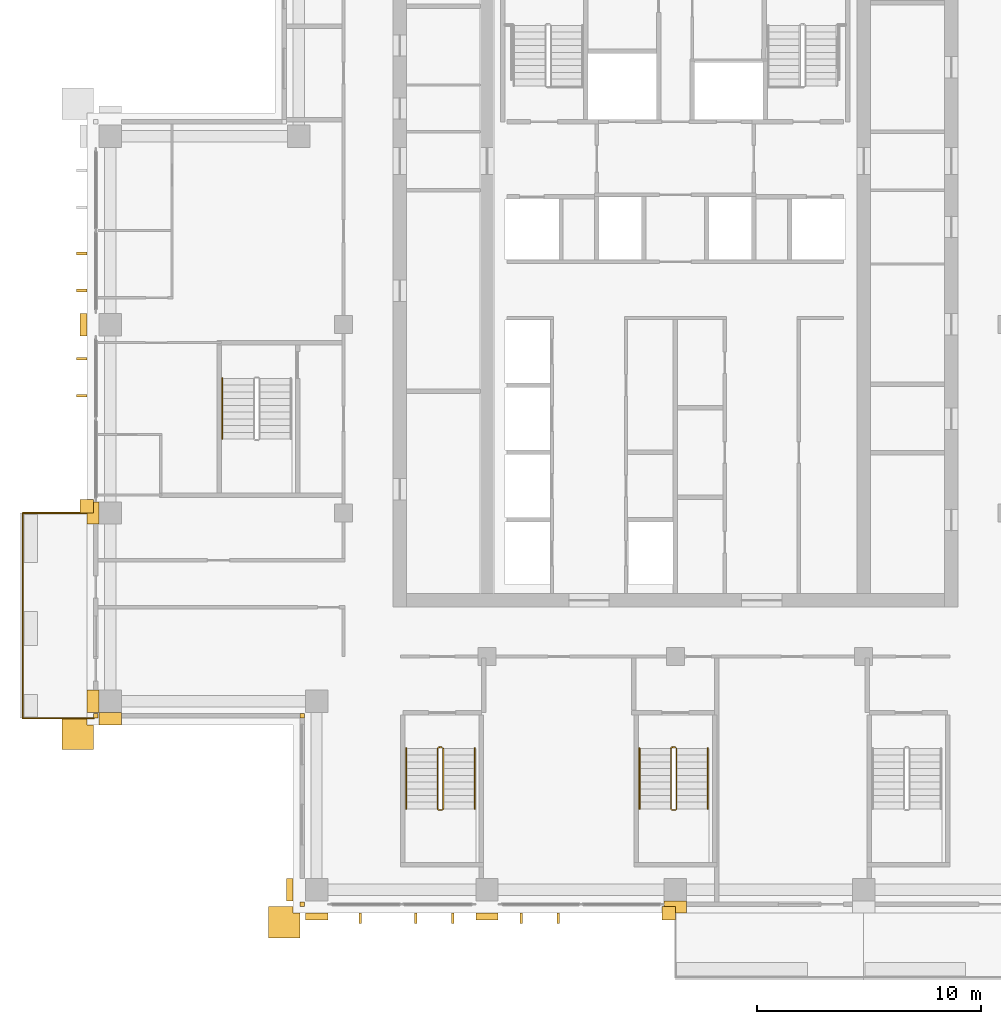
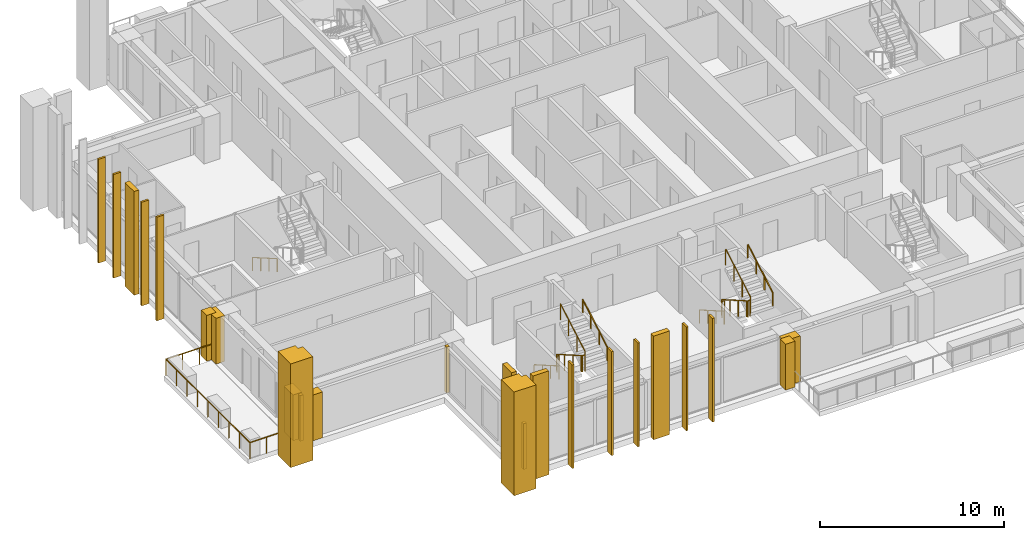
# One storey, part 15 of 18: 24 coverings, 8 railings.
"""IFC4 building model written with IfcOpenShell, lengths in metres."""

import ifcopenshell
import ifcopenshell.guid

model = None  # the IFC model being written
_history = None  # IfcOwnerHistory: only IFC2X3 demands one
_inside = {}  # id of a spatial element -> (the spatial element, [elements in it])
_under = {}  # id of a project, library or spatial element -> (it, [spatial elements below it])
_declared = {}  # id of a project -> (the project, [libraries it declares])
_typed = {}  # id of a type object -> (the type object, [elements of that type])
_made_of = {}  # id of a material, layer set ... -> (it, [elements and type objects made of it])


def new_model(schema):
    """Start an empty IFC model of exactly this schema.

    Asked for "IFC4X3", IfcOpenShell would pick the latest addendum, in which some entities
    have other attributes; the version numbers below select the first issue.
    IFC2X3 requires an IfcOwnerHistory on every rooted entity: one is made here for all.
    """
    global model, _history
    if schema == "IFC4X3":
        model = ifcopenshell.file(schema_version=(4, 3, 0, 0))
    else:
        model = ifcopenshell.file(schema=schema)
    _inside.clear()
    _under.clear()
    _declared.clear()
    _typed.clear()
    _made_of.clear()
    _history = None
    if model.schema == "IFC2X3":
        org = make("IfcOrganization", Name="unknown")
        user = make(
            "IfcPersonAndOrganization",
            ThePerson=make("IfcPerson", FamilyName="unknown"),
            TheOrganization=org,
        )
        app = make(
            "IfcApplication",
            ApplicationDeveloper=org,
            Version="unknown",
            ApplicationFullName="unknown",
            ApplicationIdentifier="unknown",
        )
        _history = make(
            "IfcOwnerHistory",
            OwningUser=user,
            OwningApplication=app,
            ChangeAction="ADDED",
            CreationDate=0,
        )
    return model


def make(cls, **values):
    """One entity of the class cls with the attributes given. An attribute that is None is left unset."""
    return model.create_entity(
        cls, **{name: value for name, value in values.items() if value is not None}
    )


def rooted(cls, **values):
    """An entity with a GlobalId (a new one), such as an element, a storey or a relation."""
    return make(cls, GlobalId=ifcopenshell.guid.new(), OwnerHistory=_history, **values)


def si_unit(unit_type, name, prefix=None):
    """IfcSIUnit, for example si_unit("LENGTHUNIT", "METRE", prefix="MILLI")."""
    return make("IfcSIUnit", UnitType=unit_type, Prefix=prefix, Name=name)


def assignment(units):
    """IfcUnitAssignment: the units of a project."""
    return None if units is None else make("IfcUnitAssignment", Units=units)


def point(xyz):
    """IfcCartesianPoint."""
    return None if xyz is None else make("IfcCartesianPoint", Coordinates=xyz)


def direction(xyz):
    """IfcDirection."""
    return None if xyz is None else make("IfcDirection", DirectionRatios=xyz)


def frame(location, z_axis=None, x_axis=None):
    """IfcAxis2Placement3D, a coordinate frame: its origin and axes. An axis left out is left unset."""
    return make(
        "IfcAxis2Placement3D",
        Location=point(location),
        Axis=direction(z_axis),
        RefDirection=direction(x_axis),
    )


def frame_2d(location, x_axis=None):
    """IfcAxis2Placement2D, a coordinate frame in the plane: its origin and x axis."""
    return make(
        "IfcAxis2Placement2D", Location=point(location), RefDirection=direction(x_axis)
    )


def origin():
    """The frame at (0, 0, 0) with its axes left unset."""
    return frame((0.0, 0.0, 0.0))


def origin_2d():
    """The frame at (0, 0) in the plane with its x axis left unset."""
    return frame_2d((0.0, 0.0))


def place(relative_to, where):
    """IfcLocalPlacement: puts the frame where relative to a parent placement (None: the world)."""
    return make(
        "IfcLocalPlacement", PlacementRelTo=relative_to, RelativePlacement=where
    )


def context(
    kind, dimensions, precision=None, world=None, true_north=None, identifier=None
):
    """IfcGeometricRepresentationContext, for example the 3D "Model" context."""
    return make(
        "IfcGeometricRepresentationContext",
        ContextIdentifier=identifier,
        ContextType=kind,
        CoordinateSpaceDimension=dimensions,
        Precision=precision,
        WorldCoordinateSystem=world,
        TrueNorth=true_north,
    )


def subcontext(parent, identifier, kind, view, scale=None):
    """IfcGeometricRepresentationSubContext, for example "Body" below "Model"."""
    return make(
        "IfcGeometricRepresentationSubContext",
        ContextIdentifier=identifier,
        ContextType=kind,
        ParentContext=parent,
        TargetScale=scale,
        TargetView=view,
    )


def project(units=None, contexts=None):
    """IfcProject with its units and contexts."""
    return rooted(
        "IfcProject",
        Name="project",
        RepresentationContexts=contexts,
        UnitsInContext=assignment(units),
    )


def spatial(cls, under=None, at=None, **own):
    """A site, building, storey or space (cls), placed at a placement, below another one or the project."""
    s = rooted(cls, ObjectPlacement=at, **own)
    if under is not None:
        _under.setdefault(under.id(), (under, []))[1].append(s)
    return s


def polyline(points):
    """IfcPolyline through the points."""
    return make("IfcPolyline", Points=[point(p) for p in points])


def profile(cls, at=None, kind="AREA", **sizes):
    """A parametric profile (cls). Its sizes go by their IFC names, for example OverallWidth=200.0."""
    return make(cls, ProfileType=kind, Position=at, **sizes)


def rectangle(**sizes):
    """IfcRectangleProfileDef."""
    return profile("IfcRectangleProfileDef", **sizes)


def outline(outer, holes=None, kind="AREA"):
    """IfcArbitraryClosedProfileDef: a profile drawn as a closed curve; with holes, ...WithVoids."""
    if holes is None:
        return make("IfcArbitraryClosedProfileDef", ProfileType=kind, OuterCurve=outer)
    return make(
        "IfcArbitraryProfileDefWithVoids",
        ProfileType=kind,
        OuterCurve=outer,
        InnerCurves=holes,
    )


def extrude(swept, where, along, depth):
    """IfcExtrudedAreaSolid: the profile swept, set in the frame where, extruded along a direction by depth."""
    return make(
        "IfcExtrudedAreaSolid",
        SweptArea=swept,
        Position=where,
        ExtrudedDirection=direction(along),
        Depth=depth,
    )


def shape(context_of_items, identifier, shape_type, items):
    """IfcShapeRepresentation: the items that make up one representation, for example the "Body"."""
    return make(
        "IfcShapeRepresentation",
        ContextOfItems=context_of_items,
        RepresentationIdentifier=identifier,
        RepresentationType=shape_type,
        Items=items,
    )


def material(Name=None, Category=None):
    """IfcMaterial."""
    return make("IfcMaterial", Name=Name, Category=Category)


def layer(
    of_material, thickness, ventilated=None, Name=None, Category=None, Priority=None
):
    """IfcMaterialLayer: one layer of a wall or slab, of a material (None: an air gap)."""
    return make(
        "IfcMaterialLayer",
        Material=of_material,
        LayerThickness=thickness,
        IsVentilated=ventilated,
        Name=Name,
        Category=Category,
        Priority=Priority,
    )


def layer_set(layers, Name=None):
    """IfcMaterialLayerSet."""
    return make("IfcMaterialLayerSet", MaterialLayers=layers, LayerSetName=Name)


def made_of(thing, what):
    """Note that an element or type object is made of a material, layer set ...; save() writes the relation."""
    if what is not None:
        _made_of.setdefault(what.id(), (what, []))[1].append(thing)
    return thing


def type_object(cls, material=None, **own):
    """A type object (cls), such as IfcWallType, which elements share."""
    return made_of(rooted(cls, **own), material)


def element(
    cls,
    number,
    at=None,
    inside=None,
    cuts=None,
    type_object=None,
    material=None,
    context=None,
    identifier="Body",
    shape_type=None,
    held_by="IfcProductDefinitionShape",
    body=None,
    shapes=None,
    **own,
):
    """One element of the class cls, such as IfcWall. Its Tag is "e" and its number.

    at: its placement. inside: the storey or other place that contains it. cuts: it is an
    opening in that element (IfcRelVoidsElement). A single representation is given by context,
    identifier, shape_type and body (its items); several are given by shapes. held_by: the class
    of the entity that holds the representations. save() writes the other relations.
    """
    e = rooted(cls, Tag="e%d" % number, ObjectPlacement=at, **own)
    if body is not None:
        shapes = [shape(context, identifier, shape_type, body)]
    if shapes is not None:
        e.Representation = make(held_by, Representations=shapes)
    if inside is not None:
        _inside.setdefault(inside.id(), (inside, []))[1].append(e)
    if cuts is not None:
        rooted(
            "IfcRelVoidsElement", RelatingBuildingElement=cuts, RelatedOpeningElement=e
        )
    if type_object is not None:
        _typed.setdefault(type_object.id(), (type_object, []))[1].append(e)
    return made_of(e, material)


def aggregate(whole, parts):
    """IfcRelAggregates: a whole, such as a stair, and the parts it consists of."""
    return rooted("IfcRelAggregates", RelatingObject=whole, RelatedObjects=parts)


def save(model, path):
    """Write the relations noted so far, then the file.

    IfcRelAggregates (storeys below a building ...), IfcRelContainedInSpatialStructure (elements
    in a storey), IfcRelDefinesByType, IfcRelAssociatesMaterial and IfcRelDeclares: one each for
    every whole, place, type object, material and project.
    """
    for whole, parts in _under.values():
        aggregate(whole, parts)
    for where, things in _inside.values():
        rooted(
            "IfcRelContainedInSpatialStructure",
            RelatedElements=things,
            RelatingStructure=where,
        )
    for kind, things in _typed.values():
        rooted("IfcRelDefinesByType", RelatedObjects=things, RelatingType=kind)
    for what, things in _made_of.values():
        rooted("IfcRelAssociatesMaterial", RelatedObjects=things, RelatingMaterial=what)
    for by, libraries in _declared.values():
        rooted("IfcRelDeclares", RelatingContext=by, RelatedDefinitions=libraries)
    model.write(path)


model = new_model("IFC4")

# Units and contexts
model_context = context("Model", 3, precision=1e-05, world=origin(), true_north=direction((0.0, 1.0)))
body_context = subcontext(model_context, "Body", "Model", "MODEL_VIEW")
ifc_project = project(units=[si_unit("LENGTHUNIT", "METRE"), si_unit("AREAUNIT", "SQUARE_METRE"), si_unit("VOLUMEUNIT", "CUBIC_METRE"), si_unit("PLANEANGLEUNIT", "RADIAN"), si_unit("MASSUNIT", "GRAM", prefix="KILO")], contexts=[model_context])

# Site, building, storey
site_placement = place(None, origin())
site = spatial("IfcSite", under=ifc_project, at=site_placement, CompositionType="ELEMENT")
building_placement = place(site_placement, origin())
building = spatial("IfcBuilding", under=site, at=building_placement, Name="Vermilion Ogive Tower", CompositionType="ELEMENT")
storey_placement = place(building_placement, frame((0.0, 0.0, 185.89990234375)))
storey = spatial("IfcBuildingStorey", under=building, at=storey_placement, Name="L48", CompositionType="ELEMENT", Elevation=185.89990234375)

# Railing
ifc_material_1 = material(Name="Stainless steel and glass", Category="steel")
railing_type_1 = type_object("IfcRailingType", Name="Balcony guard", PredefinedType="GUARDRAIL", material=ifc_material_1)
railing_1_placement = place(storey_placement, frame((-25.949951171875, -4.199951171875, -0.039794921875)))
element("IfcRailing", 1, at=railing_1_placement, inside=storey, type_object=railing_type_1, Name="Guard W03", PredefinedType="GUARDRAIL", context=body_context, shape_type="SweptSolid", body=[
    extrude(rectangle(XDim=0.048095703125, YDim=0.048095703125, at=origin_2d()), frame((0.0, 0.0, 1.076171875), z_axis=(-1.0, 0.0, 0.0), x_axis=(0.0, -1.0, 0.0)), (0.0, 0.0, 1.0), 3.16015625),
    extrude(rectangle(XDim=0.048095703125, YDim=0.048095703125, at=origin_2d()), frame((-3.16015625, 0.0, 1.076171875), z_axis=(0.0, -1.0, 0.0), x_axis=(1.0, 0.0, 0.0)), (0.0, 0.0, 1.0), 9.150146484375),
    extrude(rectangle(XDim=0.048095703125, YDim=0.048095703125, at=origin_2d()), frame((-3.16015625, -9.150146484375, 1.076171875), z_axis=(1.0, 0.0, 0.0), x_axis=(0.0, 1.0, 0.0)), (0.0, 0.0, 1.0), 3.16015625),
    extrude(rectangle(XDim=0.0419921875, YDim=0.0419921875, at=origin_2d()), origin(), (0.0, 0.0, 1.0), 1.052001953125),
    extrude(rectangle(XDim=0.0419921875, YDim=0.0419921875, at=origin_2d()), frame((-1.053466796875, 0.0, 0.0)), (0.0, 0.0, 1.0), 1.052001953125),
    extrude(rectangle(XDim=0.0419921875, YDim=0.0419921875, at=origin_2d()), frame((-2.106689453125, 0.0, 0.0)), (0.0, 0.0, 1.0), 1.052001953125),
    extrude(rectangle(XDim=0.0419921875, YDim=0.0419921875, at=origin_2d()), frame((-3.16015625, 0.0, 0.0)), (0.0, 0.0, 1.0), 1.052001953125),
    extrude(rectangle(XDim=0.0419921875, YDim=0.0419921875, at=origin_2d()), frame((-3.16015625, -1.143798828125, 0.0)), (0.0, 0.0, 1.0), 1.052001953125),
    extrude(rectangle(XDim=0.0419921875, YDim=0.0419921875, at=origin_2d()), frame((-3.16015625, -2.28759765625, 0.0)), (0.0, 0.0, 1.0), 1.052001953125),
    extrude(rectangle(XDim=0.0419921875, YDim=0.0419921875, at=origin_2d()), frame((-3.16015625, -3.431396484375, 0.0)), (0.0, 0.0, 1.0), 1.052001953125),
    extrude(rectangle(XDim=0.0419921875, YDim=0.0419921875, at=origin_2d()), frame((-3.16015625, -4.5751953125, 0.0)), (0.0, 0.0, 1.0), 1.052001953125),
    extrude(rectangle(XDim=0.0419921875, YDim=0.0419921875, at=origin_2d()), frame((-3.16015625, -5.71875, 0.0)), (0.0, 0.0, 1.0), 1.052001953125),
    extrude(rectangle(XDim=0.0419921875, YDim=0.0419921875, at=origin_2d()), frame((-3.16015625, -6.862548828125, 0.0)), (0.0, 0.0, 1.0), 1.052001953125),
    extrude(rectangle(XDim=0.0419921875, YDim=0.0419921875, at=origin_2d()), frame((-3.16015625, -8.00634765625, 0.0)), (0.0, 0.0, 1.0), 1.052001953125),
    extrude(rectangle(XDim=0.0419921875, YDim=0.0419921875, at=origin_2d()), frame((-3.16015625, -9.150146484375, 0.0)), (0.0, 0.0, 1.0), 1.052001953125),
    extrude(rectangle(XDim=0.0419921875, YDim=0.0419921875, at=origin_2d()), frame((-2.106689453125, -9.150146484375, 0.0)), (0.0, 0.0, 1.0), 1.052001953125),
    extrude(rectangle(XDim=0.0419921875, YDim=0.0419921875, at=origin_2d()), frame((-1.053466796875, -9.150146484375, 0.0)), (0.0, 0.0, 1.0), 1.052001953125),
    extrude(rectangle(XDim=0.0419921875, YDim=0.0419921875, at=origin_2d()), frame((0.0, -9.150146484375, 0.0)), (0.0, 0.0, 1.0), 1.052001953125),
])

# Coverings
ifc_material_2 = material(Name="Glazed ceramic screen")
ifc_layer = layer(ifc_material_2, 0.14990234375)
ifc_layer_set = layer_set([ifc_layer], Name="Ceramic solar screen fin")
covering_type_1 = type_object("IfcCoveringType", Name="Ceramic solar screen fin", PredefinedType="CLADDING", material=ifc_layer_set)
covering_1_placement = place(storey_placement, frame((0.0, 0.0, -0.39990234375)))
element("IfcCovering", 2, at=covering_1_placement, inside=storey, type_object=covering_type_1, Name="Solar screen blade S961", PredefinedType="CLADDING", context=body_context, shape_type="SweptSolid", body=[
    extrude(outline(polyline([(-14.110107421875, -22.5), (-13.989990234375, -22.5), (-13.989990234375, -22.050048828125), (-14.110107421875, -22.050048828125), (-14.110107421875, -22.5)])), origin(), (0.0, 0.0, 1.0), 6.89990234375),
])
covering_2_placement = place(storey_placement, frame((0.0, 0.0, -0.39990234375)))
element("IfcCovering", 3, at=covering_2_placement, inside=storey, type_object=covering_type_1, Name="Solar screen blade S971", PredefinedType="CLADDING", context=body_context, shape_type="SweptSolid", body=[
    extrude(outline(polyline([(-11.635009765625, -22.5), (-11.514892578125, -22.5), (-11.514892578125, -22.050048828125), (-11.635009765625, -22.050048828125), (-11.635009765625, -22.5)])), origin(), (0.0, 0.0, 1.0), 6.89990234375),
])
covering_3_placement = place(storey_placement, frame((0.0, 0.0, -0.39990234375)))
element("IfcCovering", 4, at=covering_3_placement, inside=storey, type_object=covering_type_1, Name="Solar screen blade S972", PredefinedType="CLADDING", context=body_context, shape_type="SweptSolid", body=[
    extrude(outline(polyline([(-9.985107421875, -22.5), (-9.864990234375, -22.5), (-9.864990234375, -22.050048828125), (-9.985107421875, -22.050048828125), (-9.985107421875, -22.5)])), origin(), (0.0, 0.0, 1.0), 6.89990234375),
])
covering_4_placement = place(storey_placement, frame((0.0, 0.0, -0.39990234375)))
element("IfcCovering", 5, at=covering_4_placement, inside=storey, type_object=covering_type_1, Name="Solar screen blade S981", PredefinedType="CLADDING", context=body_context, shape_type="SweptSolid", body=[
    extrude(outline(polyline([(-6.93505859375, -22.5), (-6.81494140625, -22.5), (-6.81494140625, -22.050048828125), (-6.93505859375, -22.050048828125), (-6.93505859375, -22.5)])), origin(), (0.0, 0.0, 1.0), 6.89990234375),
])
covering_5_placement = place(storey_placement, frame((0.0, 0.0, -0.39990234375)))
element("IfcCovering", 6, at=covering_5_placement, inside=storey, type_object=covering_type_1, Name="Solar screen blade S982", PredefinedType="CLADDING", context=body_context, shape_type="SweptSolid", body=[
    extrude(outline(polyline([(-5.284912109375, -22.5), (-5.1650390625, -22.5), (-5.1650390625, -22.050048828125), (-5.284912109375, -22.050048828125), (-5.284912109375, -22.5)])), origin(), (0.0, 0.0, 1.0), 6.89990234375),
])
covering_6_placement = place(storey_placement, frame((0.0, 0.0, -0.39990234375)))
element("IfcCovering", 7, at=covering_6_placement, inside=storey, type_object=covering_type_1, Name="Solar screen blade W011", PredefinedType="CLADDING", context=body_context, shape_type="SweptSolid", body=[
    extrude(outline(polyline([(-26.699951171875, 7.43505859375), (-26.699951171875, 7.31494140625), (-26.25, 7.31494140625), (-26.25, 7.43505859375), (-26.699951171875, 7.43505859375)])), origin(), (0.0, 0.0, 1.0), 6.89990234375),
])
covering_7_placement = place(storey_placement, frame((0.0, 0.0, -0.39990234375)))
element("IfcCovering", 8, at=covering_7_placement, inside=storey, type_object=covering_type_1, Name="Solar screen blade W012", PredefinedType="CLADDING", context=body_context, shape_type="SweptSolid", body=[
    extrude(outline(polyline([(-26.699951171875, 5.784912109375), (-26.699951171875, 5.6650390625), (-26.25, 5.6650390625), (-26.25, 5.784912109375), (-26.699951171875, 5.784912109375)])), origin(), (0.0, 0.0, 1.0), 6.89990234375),
])
covering_8_placement = place(storey_placement, frame((0.0, 0.0, -0.39990234375)))
element("IfcCovering", 9, at=covering_8_placement, inside=storey, type_object=covering_type_1, Name="Solar screen blade W001", PredefinedType="CLADDING", context=body_context, shape_type="SweptSolid", body=[
    extrude(outline(polyline([(-26.699951171875, 2.735107421875), (-26.699951171875, 2.614990234375), (-26.25, 2.614990234375), (-26.25, 2.735107421875), (-26.699951171875, 2.735107421875)])), origin(), (0.0, 0.0, 1.0), 6.89990234375),
])
covering_9_placement = place(storey_placement, frame((0.0, 0.0, -0.39990234375)))
element("IfcCovering", 10, at=covering_9_placement, inside=storey, type_object=covering_type_1, Name="Solar screen blade W002", PredefinedType="CLADDING", context=body_context, shape_type="SweptSolid", body=[
    extrude(outline(polyline([(-26.699951171875, 1.0849609375), (-26.699951171875, 0.965087890625), (-26.25, 0.965087890625), (-26.25, 1.0849609375), (-26.699951171875, 1.0849609375)])), origin(), (0.0, 0.0, 1.0), 6.89990234375),
])

# Railings
ifc_material_3 = material(Name="Steel S355 painted", Category="steel")
railing_type_2 = type_object("IfcRailingType", Name="Stair guard 1100", PredefinedType="GUARDRAIL", material=ifc_material_3)
railing_2_placement = place(storey_placement, frame((-10.39990234375, -14.64990234375, 0.0)))
element("IfcRailing", 11, at=railing_2_placement, inside=storey, type_object=railing_type_2, Name="L48 ST3 stair guard 4", PredefinedType="GUARDRAIL", context=body_context, shape_type="SweptSolid", body=[
    extrude(rectangle(XDim=0.048095703125, YDim=0.048095703125, at=origin_2d()), frame((0.0, 0.0, 1.076171875), z_axis=(-1.0, 0.0, 0.0), x_axis=(0.0, -1.0, 0.0)), (0.0, 0.0, 1.0), 0.150146484375),
    extrude(rectangle(XDim=0.048095703125, YDim=0.048095703125, at=origin_2d()), frame((-0.150146484375, 0.0, 1.076171875), z_axis=(-0.268277960024, -0.268277960024, 0.925231793839), x_axis=(0.707106781187, -0.707106781187, 0.0)), (0.0, 0.0, 1.0), 0.1865234375),
    extrude(rectangle(XDim=0.048095703125, YDim=0.048095703125, at=origin_2d()), frame((-0.2001953125, -0.050048828125, 1.24853515625), z_axis=(0.0, -0.866903762492, 0.498475542607), x_axis=(1.0, 0.0, 0.0)), (0.0, 0.0, 1.0), 3.114501953125),
    extrude(rectangle(XDim=0.048095703125, YDim=0.048095703125, at=origin_2d()), frame((-0.2001953125, -2.75, 2.80126953125), z_axis=(0.707106781187, -0.707106781187, 0.0), x_axis=(0.707106781187, 0.707106781187, 0.0)), (0.0, 0.0, 1.0), 0.07080078125),
    extrude(rectangle(XDim=0.048095703125, YDim=0.048095703125, at=origin_2d()), frame((-0.150146484375, -2.800048828125, 2.80126953125), z_axis=(1.0, 0.0, 0.0), x_axis=(0.0, 1.0, 0.0)), (0.0, 0.0, 1.0), 0.150146484375),
    extrude(rectangle(XDim=0.048095703125, YDim=0.048095703125, at=origin_2d()), frame((0.0, -2.800048828125, 2.80126953125), z_axis=(0.267062837333, 0.268371968888, 0.925556009775), x_axis=(-0.708833529934, 0.705375805398, 0.0)), (0.0, 0.0, 1.0), 0.1865234375),
    extrude(rectangle(XDim=0.048095703125, YDim=0.048095703125, at=origin_2d()), frame((0.0498046875, -2.75, 2.9736328125), z_axis=(0.0, 0.866903762492, 0.498475542607), x_axis=(-1.0, 0.0, 0.0)), (0.0, 0.0, 1.0), 3.114501953125),
    extrude(rectangle(XDim=0.0419921875, YDim=0.0419921875, at=origin_2d()), origin(), (0.0, 0.0, 1.0), 1.052001953125),
    extrude(rectangle(XDim=0.0419921875, YDim=0.0419921875, at=origin_2d()), frame((-0.150146484375, 0.0, 0.0)), (0.0, 0.0, 1.0), 1.052001953125),
    extrude(rectangle(XDim=0.0419921875, YDim=0.0419921875, at=origin_2d()), frame((-0.2001953125, -0.050048828125, 0.172607421875)), (0.0, 0.0, 1.0), 1.052001953125),
    extrude(rectangle(XDim=0.0419921875, YDim=0.0419921875, at=origin_2d()), frame((-0.2001953125, -0.949951171875, 0.690185546875)), (0.0, 0.0, 1.0), 1.052001953125),
    extrude(rectangle(XDim=0.0419921875, YDim=0.0419921875, at=origin_2d()), frame((-0.2001953125, -1.85009765625, 1.20751953125)), (0.0, 0.0, 1.0), 1.052001953125),
    extrude(rectangle(XDim=0.0419921875, YDim=0.0419921875, at=origin_2d()), frame((-0.2001953125, -2.75, 1.72509765625)), (0.0, 0.0, 1.0), 1.052001953125),
    extrude(rectangle(XDim=0.0419921875, YDim=0.0419921875, at=origin_2d()), frame((-0.150146484375, -2.800048828125, 1.72509765625)), (0.0, 0.0, 1.0), 1.052001953125),
    extrude(rectangle(XDim=0.0419921875, YDim=0.0419921875, at=origin_2d()), frame((0.0, -2.800048828125, 1.72509765625)), (0.0, 0.0, 1.0), 1.052001953125),
    extrude(rectangle(XDim=0.0419921875, YDim=0.0419921875, at=origin_2d()), frame((0.0498046875, -2.75, 1.897705078125)), (0.0, 0.0, 1.0), 1.052001953125),
    extrude(rectangle(XDim=0.0419921875, YDim=0.0419921875, at=origin_2d()), frame((0.0498046875, -1.85009765625, 2.415283203125)), (0.0, 0.0, 1.0), 1.052001953125),
    extrude(rectangle(XDim=0.0419921875, YDim=0.0419921875, at=origin_2d()), frame((0.0498046875, -0.949951171875, 2.9326171875)), (0.0, 0.0, 1.0), 1.052001953125),
    extrude(rectangle(XDim=0.0419921875, YDim=0.0419921875, at=origin_2d()), frame((0.0498046875, -0.050048828125, 3.4501953125)), (0.0, 0.0, 1.0), 1.052001953125),
])
railing_3_placement = place(storey_placement, frame((0.0, -14.64990234375, 0.0)))
element("IfcRailing", 12, at=railing_3_placement, inside=storey, type_object=railing_type_2, Name="L48 ST4 stair guard 4", PredefinedType="GUARDRAIL", context=body_context, shape_type="SweptSolid", body=[
    extrude(rectangle(XDim=0.048095703125, YDim=0.048095703125, at=origin_2d()), frame((0.0, 0.0, 1.076171875), z_axis=(-1.0, 0.0, 0.0), x_axis=(0.0, -1.0, 0.0)), (0.0, 0.0, 1.0), 0.14990234375),
    extrude(rectangle(XDim=0.048095703125, YDim=0.048095703125, at=origin_2d()), frame((-0.14990234375, 0.0, 1.076171875), z_axis=(-0.268277960024, -0.268277960024, 0.925231793839), x_axis=(0.707106781187, -0.707106781187, 0.0)), (0.0, 0.0, 1.0), 0.1865234375),
    extrude(rectangle(XDim=0.048095703125, YDim=0.048095703125, at=origin_2d()), frame((-0.199951171875, -0.050048828125, 1.24853515625), z_axis=(0.0, -0.866903762492, 0.498475542607), x_axis=(1.0, 0.0, 0.0)), (0.0, 0.0, 1.0), 3.114501953125),
    extrude(rectangle(XDim=0.048095703125, YDim=0.048095703125, at=origin_2d()), frame((-0.199951171875, -2.75, 2.80126953125), z_axis=(0.707106781187, -0.707106781187, 0.0), x_axis=(0.707106781187, 0.707106781187, 0.0)), (0.0, 0.0, 1.0), 0.07080078125),
    extrude(rectangle(XDim=0.048095703125, YDim=0.048095703125, at=origin_2d()), frame((-0.14990234375, -2.800048828125, 2.80126953125), z_axis=(1.0, 0.0, 0.0), x_axis=(0.0, 1.0, 0.0)), (0.0, 0.0, 1.0), 0.14990234375),
    extrude(rectangle(XDim=0.048095703125, YDim=0.048095703125, at=origin_2d()), frame((0.0, -2.800048828125, 2.80126953125), z_axis=(0.268277960024, 0.268277960024, 0.925231793839), x_axis=(-0.707106781187, 0.707106781187, 0.0)), (0.0, 0.0, 1.0), 0.1865234375),
    extrude(rectangle(XDim=0.048095703125, YDim=0.048095703125, at=origin_2d()), frame((0.050048828125, -2.75, 2.9736328125), z_axis=(0.0, 0.866903762492, 0.498475542607), x_axis=(-1.0, 0.0, 0.0)), (0.0, 0.0, 1.0), 3.114501953125),
    extrude(rectangle(XDim=0.0419921875, YDim=0.0419921875, at=origin_2d()), origin(), (0.0, 0.0, 1.0), 1.052001953125),
    extrude(rectangle(XDim=0.0419921875, YDim=0.0419921875, at=origin_2d()), frame((-0.14990234375, 0.0, 0.0)), (0.0, 0.0, 1.0), 1.052001953125),
    extrude(rectangle(XDim=0.0419921875, YDim=0.0419921875, at=origin_2d()), frame((-0.199951171875, -0.050048828125, 0.172607421875)), (0.0, 0.0, 1.0), 1.052001953125),
    extrude(rectangle(XDim=0.0419921875, YDim=0.0419921875, at=origin_2d()), frame((-0.199951171875, -0.949951171875, 0.690185546875)), (0.0, 0.0, 1.0), 1.052001953125),
    extrude(rectangle(XDim=0.0419921875, YDim=0.0419921875, at=origin_2d()), frame((-0.199951171875, -1.85009765625, 1.20751953125)), (0.0, 0.0, 1.0), 1.052001953125),
    extrude(rectangle(XDim=0.0419921875, YDim=0.0419921875, at=origin_2d()), frame((-0.199951171875, -2.75, 1.72509765625)), (0.0, 0.0, 1.0), 1.052001953125),
    extrude(rectangle(XDim=0.0419921875, YDim=0.0419921875, at=origin_2d()), frame((-0.14990234375, -2.800048828125, 1.72509765625)), (0.0, 0.0, 1.0), 1.052001953125),
    extrude(rectangle(XDim=0.0419921875, YDim=0.0419921875, at=origin_2d()), frame((0.0, -2.800048828125, 1.72509765625)), (0.0, 0.0, 1.0), 1.052001953125),
    extrude(rectangle(XDim=0.0419921875, YDim=0.0419921875, at=origin_2d()), frame((0.050048828125, -2.75, 1.897705078125)), (0.0, 0.0, 1.0), 1.052001953125),
    extrude(rectangle(XDim=0.0419921875, YDim=0.0419921875, at=origin_2d()), frame((0.050048828125, -1.85009765625, 2.415283203125)), (0.0, 0.0, 1.0), 1.052001953125),
    extrude(rectangle(XDim=0.0419921875, YDim=0.0419921875, at=origin_2d()), frame((0.050048828125, -0.949951171875, 2.9326171875)), (0.0, 0.0, 1.0), 1.052001953125),
    extrude(rectangle(XDim=0.0419921875, YDim=0.0419921875, at=origin_2d()), frame((0.050048828125, -0.050048828125, 3.4501953125)), (0.0, 0.0, 1.0), 1.052001953125),
])
ifc_material_4 = material(Name="Stainless steel", Category="steel")
railing_type_3 = type_object("IfcRailingType", Name="Stair handrail 900", PredefinedType="HANDRAIL", material=ifc_material_4)
railing_4_placement = place(storey_placement, frame((-12.0, -14.699951171875, 0.172607421875)))
element("IfcRailing", 13, at=railing_4_placement, inside=storey, type_object=railing_type_3, Name="L48 ST3 stair handrail 1", PredefinedType="HANDRAIL", context=body_context, shape_type="SweptSolid", body=[
    extrude(rectangle(XDim=0.048095703125, YDim=0.048095703125, at=origin_2d()), frame((0.0, 0.0, 0.8759765625), z_axis=(0.0, -0.866903762492, 0.498475542607), x_axis=(1.0, 0.0, 0.0)), (0.0, 0.0, 1.0), 3.114501953125),
    extrude(rectangle(XDim=0.0419921875, YDim=0.0419921875, at=origin_2d()), origin(), (0.0, 0.0, 1.0), 0.851806640625),
    extrude(rectangle(XDim=0.0419921875, YDim=0.0419921875, at=origin_2d()), frame((0.0, -0.89990234375, 0.517578125)), (0.0, 0.0, 1.0), 0.851806640625),
    extrude(rectangle(XDim=0.0419921875, YDim=0.0419921875, at=origin_2d()), frame((0.0, -1.800048828125, 1.034912109375)), (0.0, 0.0, 1.0), 0.851806640625),
    extrude(rectangle(XDim=0.0419921875, YDim=0.0419921875, at=origin_2d()), frame((0.0, -2.699951171875, 1.552490234375)), (0.0, 0.0, 1.0), 0.851806640625),
])
railing_5_placement = place(storey_placement, frame((-8.949951171875, -17.39990234375, 1.897705078125)))
element("IfcRailing", 14, at=railing_5_placement, inside=storey, type_object=railing_type_3, Name="L48 ST3 stair handrail 2", PredefinedType="HANDRAIL", context=body_context, shape_type="SweptSolid", body=[
    extrude(rectangle(XDim=0.048095703125, YDim=0.048095703125, at=origin_2d()), frame((0.0, 0.0, 0.8759765625), z_axis=(0.0, 0.866903762492, 0.498475542607), x_axis=(-1.0, 0.0, 0.0)), (0.0, 0.0, 1.0), 3.114501953125),
    extrude(rectangle(XDim=0.0419921875, YDim=0.0419921875, at=origin_2d()), origin(), (0.0, 0.0, 1.0), 0.851806640625),
    extrude(rectangle(XDim=0.0419921875, YDim=0.0419921875, at=origin_2d()), frame((0.0, 0.89990234375, 0.517578125)), (0.0, 0.0, 1.0), 0.851806640625),
    extrude(rectangle(XDim=0.0419921875, YDim=0.0419921875, at=origin_2d()), frame((0.0, 1.800048828125, 1.034912109375)), (0.0, 0.0, 1.0), 0.851806640625),
    extrude(rectangle(XDim=0.0419921875, YDim=0.0419921875, at=origin_2d()), frame((0.0, 2.699951171875, 1.552490234375)), (0.0, 0.0, 1.0), 0.851806640625),
])
railing_6_placement = place(storey_placement, frame((-1.60009765625, -14.699951171875, 0.172607421875)))
element("IfcRailing", 15, at=railing_6_placement, inside=storey, type_object=railing_type_3, Name="L48 ST4 stair handrail 1", PredefinedType="HANDRAIL", context=body_context, shape_type="SweptSolid", body=[
    extrude(rectangle(XDim=0.048095703125, YDim=0.048095703125, at=origin_2d()), frame((0.0, 0.0, 0.8759765625), z_axis=(0.0, -0.866903762492, 0.498475542607), x_axis=(1.0, 0.0, 0.0)), (0.0, 0.0, 1.0), 3.114501953125),
    extrude(rectangle(XDim=0.0419921875, YDim=0.0419921875, at=origin_2d()), origin(), (0.0, 0.0, 1.0), 0.851806640625),
    extrude(rectangle(XDim=0.0419921875, YDim=0.0419921875, at=origin_2d()), frame((0.0, -0.89990234375, 0.517578125)), (0.0, 0.0, 1.0), 0.851806640625),
    extrude(rectangle(XDim=0.0419921875, YDim=0.0419921875, at=origin_2d()), frame((0.0, -1.800048828125, 1.034912109375)), (0.0, 0.0, 1.0), 0.851806640625),
    extrude(rectangle(XDim=0.0419921875, YDim=0.0419921875, at=origin_2d()), frame((0.0, -2.699951171875, 1.552490234375)), (0.0, 0.0, 1.0), 0.851806640625),
])
railing_7_placement = place(storey_placement, frame((1.449951171875, -17.39990234375, 1.897705078125)))
element("IfcRailing", 16, at=railing_7_placement, inside=storey, type_object=railing_type_3, Name="L48 ST4 stair handrail 2", PredefinedType="HANDRAIL", context=body_context, shape_type="SweptSolid", body=[
    extrude(rectangle(XDim=0.048095703125, YDim=0.048095703125, at=origin_2d()), frame((0.0, 0.0, 0.8759765625), z_axis=(0.0, 0.866903762492, 0.498475542607), x_axis=(-1.0, 0.0, 0.0)), (0.0, 0.0, 1.0), 3.114501953125),
    extrude(rectangle(XDim=0.0419921875, YDim=0.0419921875, at=origin_2d()), origin(), (0.0, 0.0, 1.0), 0.851806640625),
    extrude(rectangle(XDim=0.0419921875, YDim=0.0419921875, at=origin_2d()), frame((0.0, 0.89990234375, 0.517578125)), (0.0, 0.0, 1.0), 0.851806640625),
    extrude(rectangle(XDim=0.0419921875, YDim=0.0419921875, at=origin_2d()), frame((0.0, 1.800048828125, 1.034912109375)), (0.0, 0.0, 1.0), 0.851806640625),
    extrude(rectangle(XDim=0.0419921875, YDim=0.0419921875, at=origin_2d()), frame((0.0, 2.699951171875, 1.552490234375)), (0.0, 0.0, 1.0), 0.851806640625),
])
railing_8_placement = place(storey_placement, frame((-20.199951171875, 1.800048828125, 0.172607421875)))
element("IfcRailing", 17, at=railing_8_placement, inside=storey, type_object=railing_type_3, Name="L48 ST9 stair handrail 1", PredefinedType="HANDRAIL", context=body_context, shape_type="SweptSolid", body=[
    extrude(rectangle(XDim=0.048095703125, YDim=0.048095703125, at=origin_2d()), frame((0.0, 0.0, 0.8759765625), z_axis=(0.0, -0.866903762492, 0.498475542607), x_axis=(1.0, 0.0, 0.0)), (0.0, 0.0, 1.0), 3.114501953125),
    extrude(rectangle(XDim=0.0419921875, YDim=0.0419921875, at=origin_2d()), origin(), (0.0, 0.0, 1.0), 0.851806640625),
    extrude(rectangle(XDim=0.0419921875, YDim=0.0419921875, at=origin_2d()), frame((0.0, -0.89990234375, 0.517578125)), (0.0, 0.0, 1.0), 0.851806640625),
    extrude(rectangle(XDim=0.0419921875, YDim=0.0419921875, at=origin_2d()), frame((0.0, -1.800048828125, 1.034912109375)), (0.0, 0.0, 1.0), 0.851806640625),
    extrude(rectangle(XDim=0.0419921875, YDim=0.0419921875, at=origin_2d()), frame((0.0, -2.699951171875, 1.552490234375)), (0.0, 0.0, 1.0), 0.851806640625),
])

# Coverings
ifc_material_5 = material(Name="Stone cladding", Category="masonry")
covering_type_2 = type_object("IfcCoveringType", Name="Stone corner buttress", PredefinedType="CLADDING", material=ifc_material_5)
covering_10_placement = place(storey_placement, origin())
element("IfcCovering", 18, at=covering_10_placement, inside=storey, type_object=covering_type_2, Name="Stone crease pier SK", PredefinedType="CLADDING", context=body_context, shape_type="SweptSolid", body=[
    extrude(outline(polyline([(-0.60009765625, -22.35009765625), (0.0, -22.35009765625), (0.0, -21.75), (-0.60009765625, -21.75), (-0.60009765625, -22.35009765625)])), origin(), (0.0, 0.0, 1.0), 3.050048828125),
])
covering_11_placement = place(storey_placement, origin())
element("IfcCovering", 19, at=covering_11_placement, inside=storey, type_object=covering_type_2, Name="Stone crease pier WK", PredefinedType="CLADDING", context=body_context, shape_type="SweptSolid", body=[
    extrude(outline(polyline([(-26.550048828125, -3.60009765625), (-26.550048828125, -4.199951171875), (-25.949951171875, -4.199951171875), (-25.949951171875, -3.60009765625), (-26.550048828125, -3.60009765625)])), origin(), (0.0, 0.0, 1.0), 3.050048828125),
])
covering_12_placement = place(storey_placement, frame((0.0, 0.0, -0.39990234375)))
element("IfcCovering", 20, at=covering_12_placement, inside=storey, type_object=covering_type_2, Name="Stone corner buttress S1", PredefinedType="CLADDING", context=body_context, shape_type="SweptSolid", body=[
    extrude(outline(polyline([(-17.050048828125, -21.75), (-17.050048828125, -22.050048828125), (-16.75, -22.050048828125), (-16.75, -23.14990234375), (-18.14990234375, -23.14990234375), (-18.14990234375, -21.75), (-17.050048828125, -21.75)])), origin(), (0.0, 0.0, 1.0), 6.89990234375),
])
covering_13_placement = place(storey_placement, frame((0.0, 0.0, -0.39990234375)))
element("IfcCovering", 21, at=covering_13_placement, inside=storey, type_object=covering_type_2, Name="Stone corner buttress X71", PredefinedType="CLADDING", context=body_context, shape_type="SweptSolid", body=[
    extrude(outline(polyline([(-27.35009765625, -13.35009765625), (-26.25, -13.35009765625), (-26.25, -13.64990234375), (-25.949951171875, -13.64990234375), (-25.949951171875, -14.75), (-27.35009765625, -14.75), (-27.35009765625, -13.35009765625)])), origin(), (0.0, 0.0, 1.0), 6.89990234375),
])
ifc_material_6 = material(Name="Stone cladding", Category="masonry")
covering_type_3 = type_object("IfcCoveringType", Name="Stone pier", PredefinedType="CLADDING", material=ifc_material_6)
covering_14_placement = place(storey_placement, origin())
element("IfcCovering", 22, at=covering_14_placement, inside=storey, type_object=covering_type_3, Name="Stone corner pier WE1", PredefinedType="CLADDING", context=body_context, shape_type="SweptSolid", body=[
    extrude(outline(polyline([(-25.75, -13.14990234375), (-25.75, -13.35009765625), (-25.949951171875, -13.35009765625), (-25.949951171875, -13.14990234375), (-25.75, -13.14990234375)])), origin(), (0.0, 0.0, 1.0), 3.050048828125),
])
covering_15_placement = place(storey_placement, origin())
element("IfcCovering", 23, at=covering_15_placement, inside=storey, type_object=covering_type_3, Name="Stone corner pier X7E1", PredefinedType="CLADDING", context=body_context, shape_type="SweptSolid", body=[
    extrude(outline(polyline([(-16.550048828125, -13.14990234375), (-16.550048828125, -13.35009765625), (-16.75, -13.35009765625), (-16.75, -13.14990234375), (-16.550048828125, -13.14990234375)])), origin(), (0.0, 0.0, 1.0), 3.050048828125),
])
covering_16_placement = place(storey_placement, origin())
element("IfcCovering", 24, at=covering_16_placement, inside=storey, type_object=covering_type_3, Name="Stone corner pier X8E1", PredefinedType="CLADDING", context=body_context, shape_type="SweptSolid", body=[
    extrude(outline(polyline([(-16.550048828125, -21.550048828125), (-16.550048828125, -21.75), (-16.75, -21.75), (-16.75, -21.550048828125), (-16.550048828125, -21.550048828125)])), origin(), (0.0, 0.0, 1.0), 3.050048828125),
])
covering_17_placement = place(storey_placement, frame((0.0, 0.0, -0.39990234375)))
element("IfcCovering", 25, at=covering_17_placement, inside=storey, type_object=covering_type_3, Name="Stone pier P-0084-210", PredefinedType="CLADDING", context=body_context, shape_type="SweptSolid", body=[
    extrude(outline(polyline([(-7.89990234375, -22.35009765625), (-8.89990234375, -22.35009765625), (-8.89990234375, -22.050048828125), (-7.89990234375, -22.050048828125), (-7.89990234375, -22.35009765625)])), origin(), (0.0, 0.0, 1.0), 6.89990234375),
])
covering_18_placement = place(storey_placement, frame((0.0, 0.0, -0.39990234375)))
element("IfcCovering", 26, at=covering_18_placement, inside=storey, type_object=covering_type_3, Name="Stone pier P-0160-210S", PredefinedType="CLADDING", context=body_context, shape_type="SweptSolid", body=[
    extrude(outline(polyline([(-15.5, -22.35009765625), (-16.5, -22.35009765625), (-16.5, -22.050048828125), (-15.5, -22.050048828125), (-15.5, -22.35009765625)])), origin(), (0.0, 0.0, 1.0), 6.89990234375),
])
covering_19_placement = place(storey_placement, frame((0.0, 0.0, -0.39990234375)))
element("IfcCovering", 27, at=covering_19_placement, inside=storey, type_object=covering_type_3, Name="Stone pier P-0160-210X8", PredefinedType="CLADDING", context=body_context, shape_type="SweptSolid", body=[
    extrude(outline(polyline([(-17.35009765625, -20.5), (-17.050048828125, -20.5), (-17.050048828125, -21.5), (-17.35009765625, -21.5), (-17.35009765625, -20.5)])), origin(), (0.0, 0.0, 1.0), 6.89990234375),
])
covering_20_placement = place(storey_placement, frame((0.0, 0.0, -0.39990234375)))
element("IfcCovering", 28, at=covering_20_placement, inside=storey, type_object=covering_type_3, Name="Stone pier P-0252+042", PredefinedType="CLADDING", context=body_context, shape_type="SweptSolid", body=[
    extrude(outline(polyline([(-26.550048828125, 3.699951171875), (-26.550048828125, 4.699951171875), (-26.25, 4.699951171875), (-26.25, 3.699951171875), (-26.550048828125, 3.699951171875)])), origin(), (0.0, 0.0, 1.0), 6.89990234375),
])
covering_21_placement = place(storey_placement, origin())
element("IfcCovering", 29, at=covering_21_placement, inside=storey, type_object=covering_type_3, Name="Stone pier P+0000-210", PredefinedType="CLADDING", context=body_context, shape_type="SweptSolid", body=[
    extrude(outline(polyline([(0.5, -22.050048828125), (0.0, -22.050048828125), (0.0, -21.75), (-0.5, -21.75), (-0.5, -21.5), (0.5, -21.5), (0.5, -22.050048828125)])), origin(), (0.0, 0.0, 1.0), 3.050048828125),
])
covering_22_placement = place(storey_placement, origin())
element("IfcCovering", 30, at=covering_22_placement, inside=storey, type_object=covering_type_3, Name="Stone pier P-0252-042", PredefinedType="CLADDING", context=body_context, shape_type="SweptSolid", body=[
    extrude(outline(polyline([(-25.699951171875, -4.699951171875), (-26.25, -4.699951171875), (-26.25, -4.199951171875), (-25.949951171875, -4.199951171875), (-25.949951171875, -3.699951171875), (-25.699951171875, -3.699951171875), (-25.699951171875, -4.699951171875), (-25.699951171875, -4.699951171875)])), origin(), (0.0, 0.0, 1.0), 3.050048828125),
])
covering_23_placement = place(storey_placement, origin())
element("IfcCovering", 31, at=covering_23_placement, inside=storey, type_object=covering_type_3, Name="Stone pier P-0252-126W", PredefinedType="CLADDING", context=body_context, shape_type="SweptSolid", body=[
    extrude(outline(polyline([(-26.25, -13.10009765625), (-26.25, -12.10009765625), (-25.699951171875, -12.10009765625), (-25.699951171875, -13.10009765625), (-26.25, -13.10009765625)])), origin(), (0.0, 0.0, 1.0), 3.050048828125),
])
covering_24_placement = place(storey_placement, origin())
element("IfcCovering", 32, at=covering_24_placement, inside=storey, type_object=covering_type_3, Name="Stone pier P-0252-126X7", PredefinedType="CLADDING", context=body_context, shape_type="SweptSolid", body=[
    extrude(outline(polyline([(-25.699951171875, -13.64990234375), (-25.699951171875, -13.10009765625), (-24.699951171875, -13.10009765625), (-24.699951171875, -13.64990234375), (-25.699951171875, -13.64990234375)])), origin(), (0.0, 0.0, 1.0), 3.050048828125),
])

save(model, "model.ifc")
